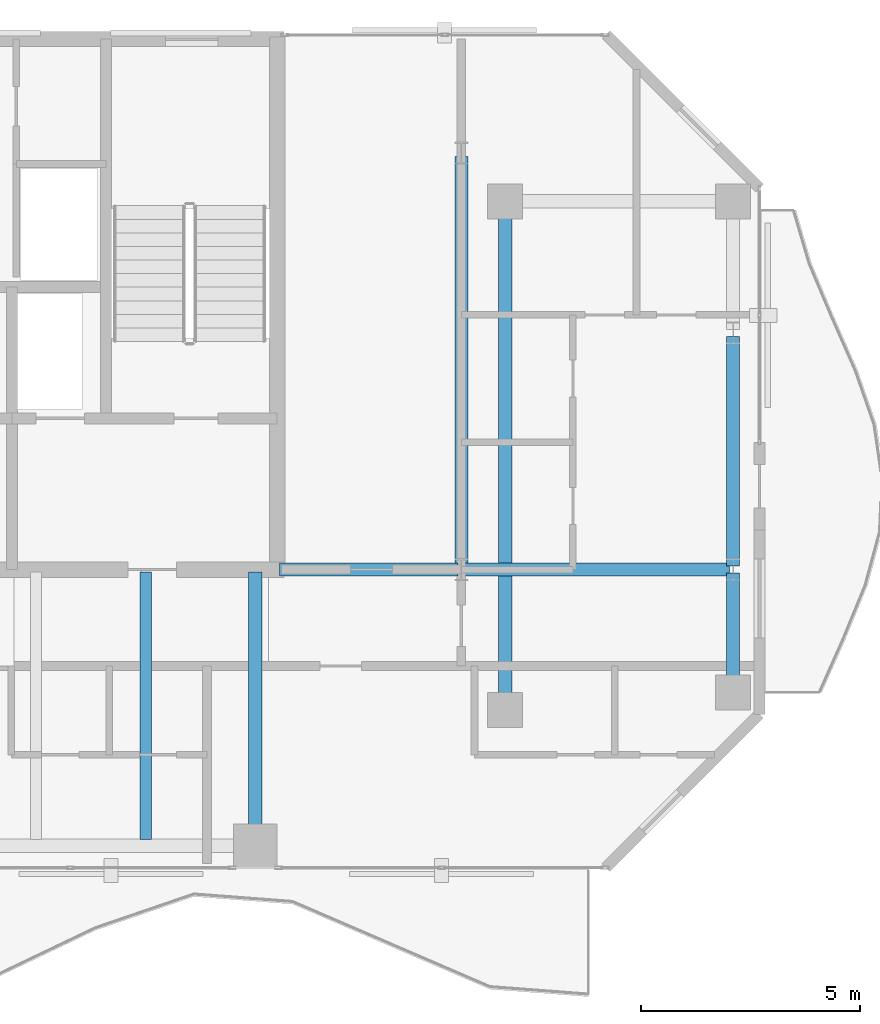
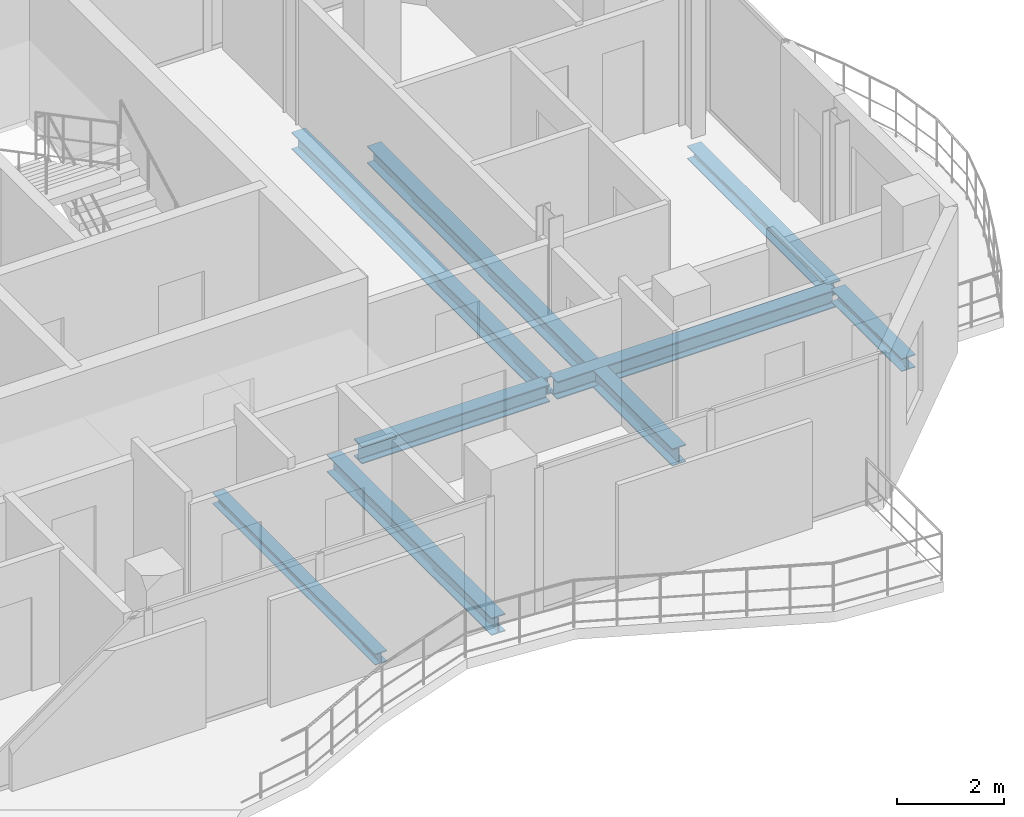
# One storey, part 13 of 23: 8 beams.
"""IFC4 building model written with IfcOpenShell, lengths in metres."""

from ifc_helpers import new_model, si_unit, direction, frame, origin, origin_2d, place, context, subcontext, project, spatial, i_section, extrude, material, material_profile, profile_set, type_object, element, save


model = new_model("IFC4")

# Units and contexts
model_context = context("Model", 3, precision=1e-05, world=origin(), true_north=direction((0.0, 1.0)))
body_context = subcontext(model_context, "Body", "Model", "MODEL_VIEW")
ifc_project = project(units=[si_unit("LENGTHUNIT", "METRE"), si_unit("AREAUNIT", "SQUARE_METRE"), si_unit("VOLUMEUNIT", "CUBIC_METRE"), si_unit("PLANEANGLEUNIT", "RADIAN"), si_unit("MASSUNIT", "GRAM", prefix="KILO")], contexts=[model_context])

# Site, building, storey
site_placement = place(None, origin())
site = spatial("IfcSite", under=ifc_project, at=site_placement, CompositionType="ELEMENT")
building_placement = place(site_placement, origin())
building = spatial("IfcBuilding", under=site, at=building_placement, Name="Catumbela Crestline Tower", CompositionType="ELEMENT")
storey_placement = place(building_placement, frame((0.0, 0.0, 183.0)))
storey = spatial("IfcBuildingStorey", under=building, at=storey_placement, Name="L47", CompositionType="ELEMENT", Elevation=183.0)

# Beams
ifc_material = material(Name="Structural steel S355J2", Category="steel")
ifc_material_profile_1 = material_profile(ifc_material, i_section(OverallWidth=0.3, OverallDepth=0.4, WebThickness=0.0135, FlangeThickness=0.024, FilletRadius=0.027, at=origin_2d()), Name="HEB 400")
ifc_profile_set_1 = profile_set([ifc_material_profile_1], Name="Structural steel S355J2")
beam_type_1 = type_object("IfcBeamType", Name="BG-HEB400", PredefinedType="BEAM", material=ifc_profile_set_1)
beam_1_placement = place(storey_placement, frame((40.05, 30.8, -0.46), z_axis=(1.0, 0.0, 0.0), x_axis=(0.0, 1.0, 0.0)))
element("IfcBeam", 1, at=beam_1_placement, inside=storey, type_object=beam_type_1, Name="L47 Beam BM-L47-M08", PredefinedType="BEAM", context=body_context, shape_type="SweptSolid", body=[
    extrude(i_section(OverallWidth=0.3, OverallDepth=0.4, WebThickness=0.0135, FlangeThickness=0.024, FilletRadius=0.027, at=origin_2d()), origin(), (0.0, 0.0, 1.0), 4.07),
])
beam_2_placement = place(storey_placement, frame((44.28, 30.8, -0.46), z_axis=(1.0, 0.0, 0.0), x_axis=(0.0, 1.0, 0.0)))
element("IfcBeam", 2, at=beam_2_placement, inside=storey, type_object=beam_type_1, Name="L47 Beam BM-L47-M09", PredefinedType="BEAM", context=body_context, shape_type="SweptSolid", body=[
    extrude(i_section(OverallWidth=0.3, OverallDepth=0.4, WebThickness=0.0135, FlangeThickness=0.024, FilletRadius=0.027, at=origin_2d()), origin(), (0.0, 0.0, 1.0), 6.04),
])
beam_3_placement = place(storey_placement, frame((39.5, 24.58, -0.46), z_axis=(0.0, 1.0, 0.0), x_axis=(-1.0, 0.0, 0.0)))
element("IfcBeam", 3, at=beam_3_placement, inside=storey, type_object=beam_type_1, Name="L47 Beam BM-L47-SNS20", PredefinedType="BEAM", context=body_context, shape_type="SweptSolid", body=[
    extrude(i_section(OverallWidth=0.3, OverallDepth=0.4, WebThickness=0.0135, FlangeThickness=0.024, FilletRadius=0.027, at=origin_2d()), origin(), (0.0, 0.0, 1.0), 6.17),
])
beam_4_placement = place(storey_placement, frame((44.2, 30.88, -0.46), z_axis=(0.0, 1.0, 0.0), x_axis=(-1.0, 0.0, 0.0)))
element("IfcBeam", 4, at=beam_4_placement, inside=storey, type_object=beam_type_1, Name="L47 Beam BM-L47-SN21", PredefinedType="BEAM", context=body_context, shape_type="SweptSolid", body=[
    extrude(i_section(OverallWidth=0.3, OverallDepth=0.4, WebThickness=0.0135, FlangeThickness=0.024, FilletRadius=0.027, at=origin_2d()), origin(), (0.0, 0.0, 1.0), 9.34),
])
beam_5_placement = place(storey_placement, frame((45.2, 27.68, -0.46), z_axis=(0.0, 1.0, 0.0), x_axis=(-1.0, 0.0, 0.0)))
element("IfcBeam", 5, at=beam_5_placement, inside=storey, type_object=beam_type_1, Name="L47 Beam BM-L47-SN22", PredefinedType="BEAM", context=body_context, shape_type="SweptSolid", body=[
    extrude(i_section(OverallWidth=0.3, OverallDepth=0.4, WebThickness=0.0135, FlangeThickness=0.024, FilletRadius=0.027, at=origin_2d()), origin(), (0.0, 0.0, 1.0), 11.44),
])
ifc_material_profile_2 = material_profile(ifc_material, i_section(OverallWidth=0.26, OverallDepth=0.25, WebThickness=0.0075, FlangeThickness=0.0125, FilletRadius=0.024, at=origin_2d()), Name="HEA 260")
ifc_profile_set_2 = profile_set([ifc_material_profile_2], Name="Structural steel S355J2")
beam_type_2 = type_object("IfcBeamType", Name="BJ-HEA260", PredefinedType="JOIST", material=ifc_profile_set_2)
beam_6_placement = place(storey_placement, frame((37.0, 24.647, -0.385), z_axis=(0.0, 1.0, 0.0), x_axis=(-1.0, 0.0, 0.0)))
element("IfcBeam", 6, at=beam_6_placement, inside=storey, type_object=beam_type_2, Name="L47 Joist JS-L47-SP31", PredefinedType="JOIST", context=body_context, shape_type="SweptSolid", body=[
    extrude(i_section(OverallWidth=0.26, OverallDepth=0.25, WebThickness=0.0075, FlangeThickness=0.0125, FilletRadius=0.024, at=origin_2d()), origin(), (0.0, 0.0, 1.0), 6.103),
])
ifc_material_profile_3 = material_profile(ifc_material, i_section(OverallWidth=0.3, OverallDepth=0.3, WebThickness=0.011, FlangeThickness=0.019, FilletRadius=0.027, at=origin_2d()), Name="HEB 300")
ifc_profile_set_3 = profile_set([ifc_material_profile_3], Name="Structural steel S355J2")
beam_type_3 = type_object("IfcBeamType", Name="BS-HEB300", PredefinedType="SPANDREL", material=ifc_profile_set_3)
beam_7_placement = place(storey_placement, frame((50.4, 28.08, -0.41), z_axis=(0.0, 1.0, 0.0), x_axis=(-1.0, 0.0, 0.0)))
element("IfcBeam", 7, at=beam_7_placement, inside=storey, type_object=beam_type_3, Name="L47 Spandrel SP-L47-SN23", PredefinedType="SPANDREL", context=body_context, shape_type="SweptSolid", body=[
    extrude(i_section(OverallWidth=0.3, OverallDepth=0.3, WebThickness=0.011, FlangeThickness=0.019, FilletRadius=0.027, at=origin_2d()), origin(), (0.0, 0.0, 1.0), 2.64),
])
beam_8_placement = place(storey_placement, frame((50.4, 30.88, -0.41), z_axis=(0.0, 1.0, 0.0), x_axis=(-1.0, 0.0, 0.0)))
element("IfcBeam", 8, at=beam_8_placement, inside=storey, type_object=beam_type_3, Name="L47 Spandrel SP-L47-SN24", PredefinedType="SPANDREL", context=body_context, shape_type="SweptSolid", body=[
    extrude(i_section(OverallWidth=0.3, OverallDepth=0.3, WebThickness=0.011, FlangeThickness=0.019, FilletRadius=0.027, at=origin_2d()), origin(), (0.0, 0.0, 1.0), 5.24),
])

save(model, "model.ifc")
